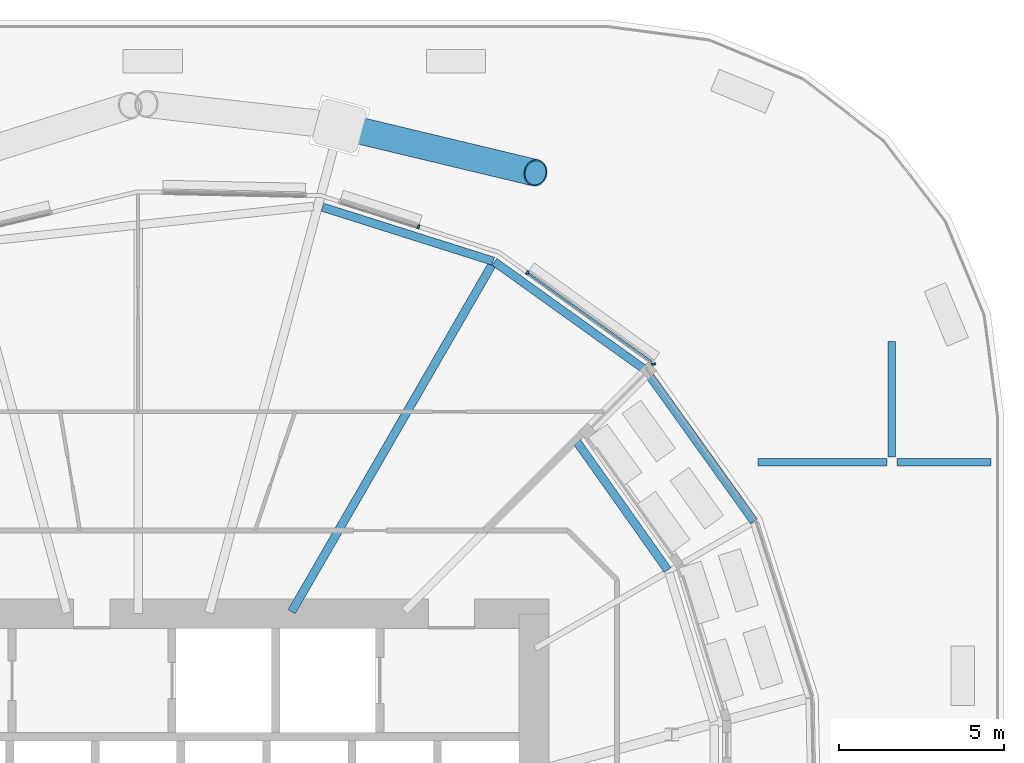
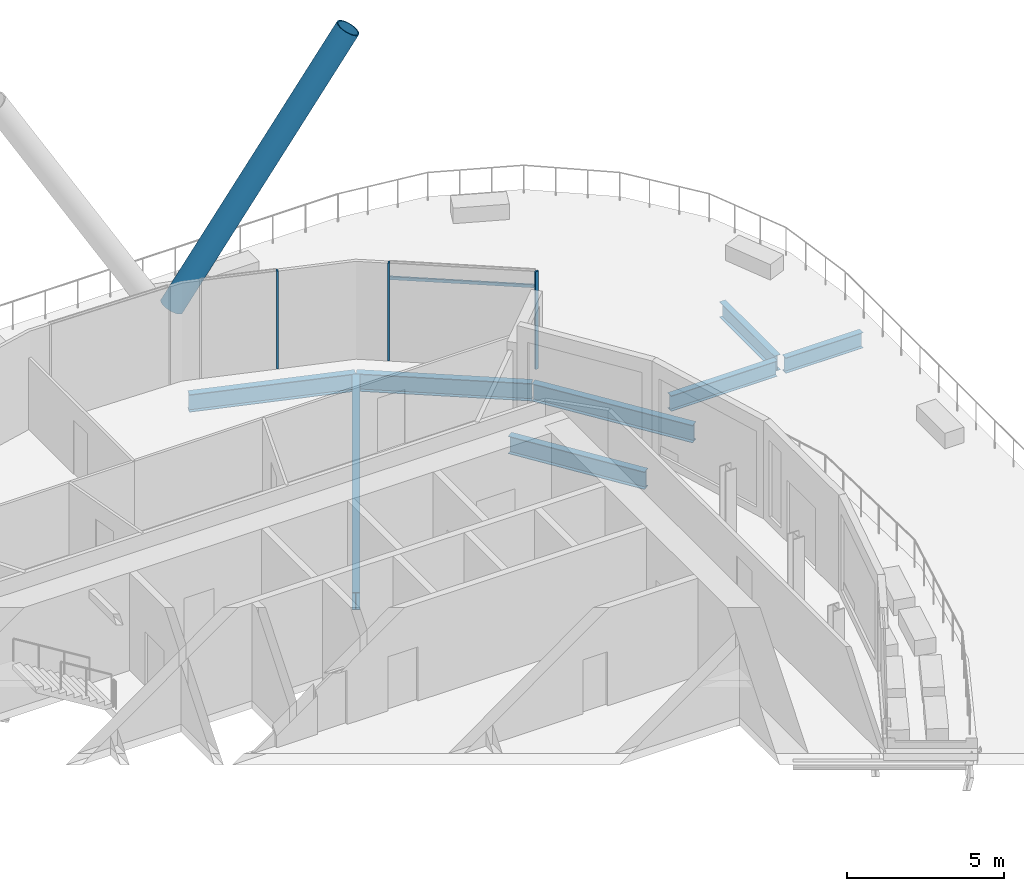
# One storey, part 20 of 47: 8 beams, 5 members, 1 element without a shape of its own.
"""IFC4 building model written with IfcOpenShell, lengths in metres."""

from ifc_helpers import new_model, si_unit, direction, frame, origin, origin_2d, place, context, subcontext, project, spatial, rectangle, hollow_circle, i_section, extrude, material, material_profile, profile_set, type_object, element, aggregate, save


model = new_model("IFC4")

# Units and contexts
model_context = context("Model", 3, precision=1e-05, world=origin(), true_north=direction((0.0, 1.0)))
body_context = subcontext(model_context, "Body", "Model", "MODEL_VIEW")
ifc_project = project(units=[si_unit("LENGTHUNIT", "METRE"), si_unit("AREAUNIT", "SQUARE_METRE"), si_unit("VOLUMEUNIT", "CUBIC_METRE"), si_unit("PLANEANGLEUNIT", "RADIAN"), si_unit("MASSUNIT", "GRAM", prefix="KILO")], contexts=[model_context])

# Site, building, storey
site_placement = place(None, origin())
site = spatial("IfcSite", under=ifc_project, at=site_placement, CompositionType="ELEMENT")
building_placement = place(site_placement, origin())
building = spatial("IfcBuilding", under=site, at=building_placement, Name="Rimbun Link Towers", CompositionType="ELEMENT")
storey_placement = place(building_placement, frame((0.0, 0.0, 30.0)))
storey = spatial("IfcBuildingStorey", under=building, at=storey_placement, Name="L06", CompositionType="ELEMENT", Elevation=30.0)

# Curtain wall, members
ifc_material_1 = material(Name="Aluminium 6063-T6 and low-iron glass", Category="aluminium")
curtain_wall_type = type_object("IfcCurtainWallType", Name="CW1 unitised vision wall", PredefinedType="NOTDEFINED", material=ifc_material_1)
curtain_wall_placement = place(storey_placement, origin())
curtain_wall = element("IfcCurtainWall", 1, at=curtain_wall_placement, inside=storey, type_object=curtain_wall_type, Name="CW1 L06 T2", PredefinedType="NOTDEFINED")
ifc_material_2 = material(Name="Aluminium 6063-T6", Category="aluminium")
ifc_material_profile_1 = material_profile(ifc_material_2, rectangle(XDim=0.1201171875, YDim=0.06005859375, at=origin_2d()), Name="MULLION 60X120")
ifc_profile_set_1 = profile_set([ifc_material_profile_1], Name="Aluminium 6063-T6")
member_type_1 = type_object("IfcMemberType", Name="CW1 mullion 60X120", PredefinedType="MULLION", material=ifc_profile_set_1)
member_1_placement = place(storey_placement, frame((43.5517578125, 18.339599609375, 0.0), z_axis=(0.0, 0.0, 1.0), x_axis=(0.58299812018, 0.812473502255, 0.0)))
member_1 = element("IfcMember", 2, at=member_1_placement, type_object=member_type_1, Name="CW1 mullion", PredefinedType="MULLION", context=body_context, shape_type="SweptSolid", body=[
    extrude(rectangle(XDim=0.1201171875, YDim=0.06005859375, at=origin_2d()), origin(), (0.0, 0.0, 1.0), 3.800048828125),
])
member_2_placement = place(storey_placement, frame((47.375, 15.570068359375, 0.0), z_axis=(0.0, 0.0, 1.0), x_axis=(0.996681355092, 0.081401943544, 0.0)))
member_2 = element("IfcMember", 3, at=member_2_placement, type_object=member_type_1, Name="CW1 mullion", PredefinedType="MULLION", context=body_context, shape_type="SweptSolid", body=[
    extrude(rectangle(XDim=0.1201171875, YDim=0.06005859375, at=origin_2d()), origin(), (0.0, 0.0, 1.0), 3.800048828125),
])
member_3_placement = place(storey_placement, frame((40.251708984375, 19.733154296875, 0.0), z_axis=(0.0, 0.0, 1.0), x_axis=(0.303073741351, 0.952967107147, 0.0)))
member_3 = element("IfcMember", 4, at=member_3_placement, type_object=member_type_1, Name="CW1 mullion", PredefinedType="MULLION", context=body_context, shape_type="SweptSolid", body=[
    extrude(rectangle(XDim=0.1201171875, YDim=0.06005859375, at=origin_2d()), origin(), (0.0, 0.0, 1.0), 3.800048828125),
])
ifc_material_3 = material(Name="Aluminium 6063-T6", Category="aluminium")
ifc_material_profile_2 = material_profile(ifc_material_3, rectangle(XDim=0.06005859375, YDim=0.1201171875, at=origin_2d()), Name="TRANSOM 60X120")
ifc_profile_set_2 = profile_set([ifc_material_profile_2], Name="Aluminium 6063-T6")
member_type_2 = type_object("IfcMemberType", Name="CW1 transom 60X120", PredefinedType="USERDEFINED", material=ifc_profile_set_2)
member_4_placement = place(storey_placement, frame((43.574951171875, 18.320556640625, 3.199951171875), z_axis=(0.812473430074, -0.582998220772, 0.0), x_axis=(0.582998220772, 0.812473430074, 0.0)))
member_4 = element("IfcMember", 5, at=member_4_placement, type_object=member_type_2, Name="CW1 transom", ObjectType="TRANSOM", PredefinedType="USERDEFINED", context=body_context, shape_type="SweptSolid", body=[
    extrude(rectangle(XDim=0.06005859375, YDim=0.1201171875, at=origin_2d()), origin(), (0.0, 0.0, 1.0), 4.615234375),
])
aggregate(curtain_wall, [member_1, member_2, member_3, member_4])

# Member
ifc_material_4 = material(Name="Steel S460NH", Category="steel")
ifc_material_profile_3 = material_profile(ifc_material_4, hollow_circle(Radius=0.406494140625, WallThickness=0.0400390625, at=origin_2d()), Name="Diagrid diagonal CHS 813x40")
ifc_profile_set_3 = profile_set([ifc_material_profile_3], Name="Steel S460NH")
member_type_3 = type_object("IfcMemberType", Name="Diagrid diagonal CHS 813x40", PredefinedType="BRACE", material=ifc_profile_set_3)
member_5_placement = place(storey_placement, frame((38.10888671875, 22.72998046875, 1.327392578125), z_axis=(0.504382565323, -0.120869159329, 0.854978873494), x_axis=(0.23303995108, 0.972467162017, 0.0)))
element("IfcMember", 6, at=member_5_placement, inside=storey, type_object=member_type_3, Name="Diagrid diagonal T2 L06-L09 02a", PredefinedType="BRACE", context=body_context, shape_type="SweptSolid", body=[
    extrude(hollow_circle(Radius=0.406494140625, WallThickness=0.0400390625, at=origin_2d()), origin(), (0.0, 0.0, 1.0), 11.281005859375),
])

# Beams
ifc_material_5 = material(Name="Steel S355J2", Category="steel")
ifc_material_profile_4 = material_profile(ifc_material_5, i_section(OverallWidth=0.2275390625, OverallDepth=0.6025390625, WebThickness=0.010498046875, FlangeThickness=0.014892578125, at=origin_2d()), Name="UB 610x229x101")
ifc_profile_set_4 = profile_set([ifc_material_profile_4], Name="Steel S355J2")
beam_type_1 = type_object("IfcBeamType", Name="UB 610x229x101", PredefinedType="BEAM", material=ifc_profile_set_4)
beam_1_placement = place(storey_placement, frame((50.54638671875, 12.60009765625, -0.601318359375), z_axis=(1.0, 0.0, 0.0), x_axis=(0.0, 1.0, 0.0)))
element("IfcBeam", 7, at=beam_1_placement, inside=storey, type_object=beam_type_1, Name="Grid beam L06 +12.6", PredefinedType="BEAM", context=body_context, shape_type="SweptSolid", body=[
    extrude(i_section(OverallWidth=0.2275390625, OverallDepth=0.6025390625, WebThickness=0.010498046875, FlangeThickness=0.014892578125, at=origin_2d()), origin(), (0.0, 0.0, 1.0), 3.89990234375),
])
beam_2_placement = place(storey_placement, frame((54.753662109375, 12.60009765625, -0.601318359375), z_axis=(1.0, 0.0, 0.0), x_axis=(0.0, 1.0, 0.0)))
element("IfcBeam", 8, at=beam_2_placement, inside=storey, type_object=beam_type_1, Name="Grid beam L06 +12.6", PredefinedType="BEAM", context=body_context, shape_type="SweptSolid", body=[
    extrude(i_section(OverallWidth=0.2275390625, OverallDepth=0.6025390625, WebThickness=0.010498046875, FlangeThickness=0.014892578125, at=origin_2d()), origin(), (0.0, 0.0, 1.0), 2.84912109375),
])
beam_3_placement = place(storey_placement, frame((54.60009765625, 12.75732421875, -0.601318359375), z_axis=(0.0, 1.0, 0.0), x_axis=(-1.0, 0.0, 0.0)))
element("IfcBeam", 9, at=beam_3_placement, inside=storey, type_object=beam_type_1, Name="Grid beam L06 +54.6", PredefinedType="BEAM", context=body_context, shape_type="SweptSolid", body=[
    extrude(i_section(OverallWidth=0.2275390625, OverallDepth=0.6025390625, WebThickness=0.010498046875, FlangeThickness=0.014892578125, at=origin_2d()), origin(), (0.0, 0.0, 1.0), 3.499755859375),
])
ifc_material_6 = material(Name="Steel S355J2", Category="steel")
ifc_material_profile_5 = material_profile(ifc_material_6, i_section(OverallWidth=0.253662109375, OverallDepth=0.68359375, WebThickness=0.012451171875, FlangeThickness=0.01904296875, at=origin_2d()), Name="UB 686x254x140")
ifc_profile_set_5 = profile_set([ifc_material_profile_5], Name="Steel S355J2")
beam_type_2 = type_object("IfcBeamType", Name="UB 686x254x140", PredefinedType="BEAM", material=ifc_profile_set_5)
beam_4_placement = place(storey_placement, frame((36.406005859375, 8.064208984375, -0.641845703125), z_axis=(0.499989563208, 0.866031429385, 0.0), x_axis=(-0.866031429385, 0.499989563208, 0.0)))
element("IfcBeam", 10, at=beam_4_placement, inside=storey, type_object=beam_type_2, Name="Radial beam T2 L06 01", PredefinedType="BEAM", context=body_context, shape_type="SweptSolid", body=[
    extrude(i_section(OverallWidth=0.253662109375, OverallDepth=0.68359375, WebThickness=0.012451171875, FlangeThickness=0.01904296875, at=origin_2d()), origin(), (0.0, 0.0, 1.0), 12.131591796875),
])
beam_5_placement = place(storey_placement, frame((47.118408203125, 15.39892578125, -0.641845703125), z_axis=(-0.81295433095, 0.582327447223, 0.0), x_axis=(-0.582327447223, -0.81295433095, 0.0)))
element("IfcBeam", 11, at=beam_5_placement, inside=storey, type_object=beam_type_2, Name="Edge beam T2 L06 00", PredefinedType="BEAM", context=body_context, shape_type="SweptSolid", body=[
    extrude(i_section(OverallWidth=0.253662109375, OverallDepth=0.68359375, WebThickness=0.012451171875, FlangeThickness=0.01904296875, at=origin_2d()), origin(), (0.0, 0.0, 1.0), 5.615966796875),
])
beam_6_placement = place(storey_placement, frame((42.515625, 18.687744140625, -0.641845703125), z_axis=(-0.953347835156, 0.301873988947, 0.0), x_axis=(-0.301873988947, -0.953347835156, 0.0)))
element("IfcBeam", 12, at=beam_6_placement, inside=storey, type_object=beam_type_2, Name="Edge beam T2 L06 01", PredefinedType="BEAM", context=body_context, shape_type="SweptSolid", body=[
    extrude(i_section(OverallWidth=0.253662109375, OverallDepth=0.68359375, WebThickness=0.012451171875, FlangeThickness=0.01904296875, at=origin_2d()), origin(), (0.0, 0.0, 1.0), 5.427490234375),
])
beam_7_placement = place(storey_placement, frame((47.80419921875, 9.32568359375, -0.641845703125), z_axis=(-0.577942207875, 0.816077695049, 0.0), x_axis=(-0.816077695049, -0.577942207875, 0.0)))
element("IfcBeam", 13, at=beam_7_placement, inside=storey, type_object=beam_type_2, Name="Edge beam T2 L06 23 recess", PredefinedType="BEAM", context=body_context, shape_type="SweptSolid", body=[
    extrude(i_section(OverallWidth=0.253662109375, OverallDepth=0.68359375, WebThickness=0.012451171875, FlangeThickness=0.01904296875, at=origin_2d()), origin(), (0.0, 0.0, 1.0), 4.778564453125),
])
beam_8_placement = place(storey_placement, frame((50.419189453125, 10.802978515625, -0.641845703125), z_axis=(-0.582327447223, 0.81295433095, 0.0), x_axis=(-0.81295433095, -0.582327447223, 0.0)))
element("IfcBeam", 14, at=beam_8_placement, inside=storey, type_object=beam_type_2, Name="Edge beam T2 L06 23 terrace", PredefinedType="BEAM", context=body_context, shape_type="SweptSolid", body=[
    extrude(i_section(OverallWidth=0.253662109375, OverallDepth=0.68359375, WebThickness=0.012451171875, FlangeThickness=0.01904296875, at=origin_2d()), origin(), (0.0, 0.0, 1.0), 5.615966796875),
])

save(model, "model.ifc")
